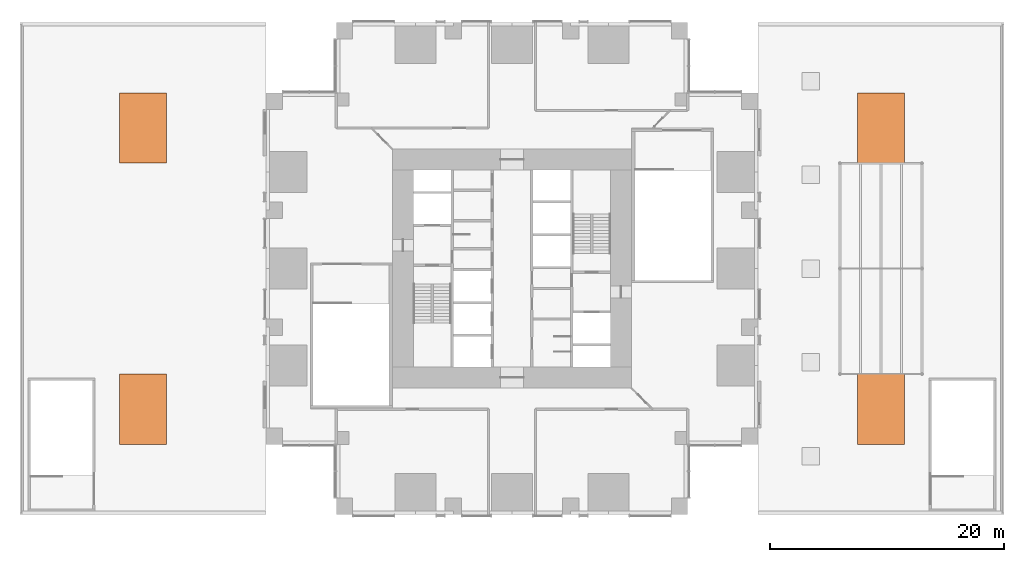
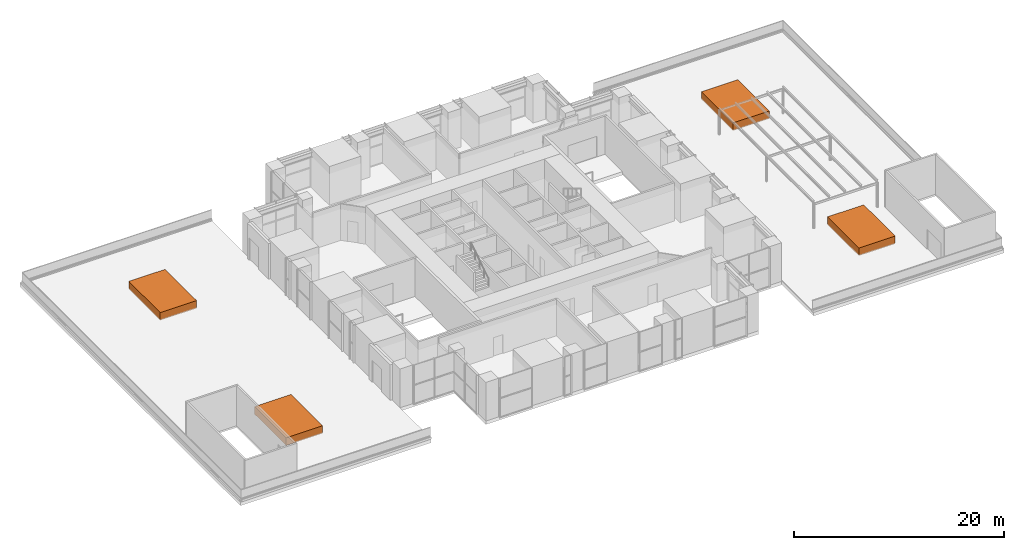
# One storey, part 14 of 14: 4 proxies.
"""IFC4 building model written with IfcOpenShell, lengths in metres."""

from ifc_helpers import new_model, si_unit, direction, frame, origin, origin_2d, place, context, subcontext, project, spatial, rectangle, extrude, element, save


model = new_model("IFC4")

# Units and contexts
model_context = context("Model", 3, precision=1e-05, world=origin(), true_north=direction((0.0, 1.0)))
body_context = subcontext(model_context, "Body", "Model", "MODEL_VIEW")
ifc_project = project(units=[si_unit("LENGTHUNIT", "METRE"), si_unit("AREAUNIT", "SQUARE_METRE"), si_unit("VOLUMEUNIT", "CUBIC_METRE"), si_unit("PLANEANGLEUNIT", "RADIAN"), si_unit("MASSUNIT", "GRAM", prefix="KILO")], contexts=[model_context])

# Site, building, storey
site_placement = place(None, origin())
site = spatial("IfcSite", under=ifc_project, at=site_placement, CompositionType="ELEMENT")
building_placement = place(site_placement, origin())
building = spatial("IfcBuilding", under=site, at=building_placement, Name="Svetlomir Tower", CompositionType="ELEMENT")
storey_placement = place(building_placement, frame((0.0, 0.0, 18.0)))
storey = spatial("IfcBuildingStorey", under=building, at=storey_placement, Name="L03", CompositionType="ELEMENT", Elevation=18.0)

# Proxies
for number, where, z_axis, x_axis, name in (
    (1, (-10.5, 9.0, 0.0), (0.0, 0.0, 1.0), (1.0, 0.0, 0.0), "Roof garden tree planter W1"),
    (2, (-10.5, 33.0, 0.0), (0.0, 0.0, 1.0), (1.0, 0.0, 0.0), "Roof garden tree planter W2"),
    (3, (52.5, 9.0, 0.0), (0.0, 0.0, 1.0), (1.0, 0.0, 0.0), "Roof garden tree planter E1"),
    (4, (52.5, 33.0, 0.0), (0.0, 0.0, 1.0), (1.0, 0.0, 0.0), "Roof garden tree planter E2"),
):
    element("IfcBuildingElementProxy", number, at=place(storey_placement, frame(where, z_axis=z_axis, x_axis=x_axis)), inside=storey, Name=name, ObjectType="PLANTER", PredefinedType="USERDEFINED", context=body_context, shape_type="SweptSolid", body=[
        extrude(rectangle(XDim=4.0, YDim=6.0, at=origin_2d()), origin(), (0.0, 0.0, 1.0), 0.89990234375),
    ])

save(model, "model.ifc")
